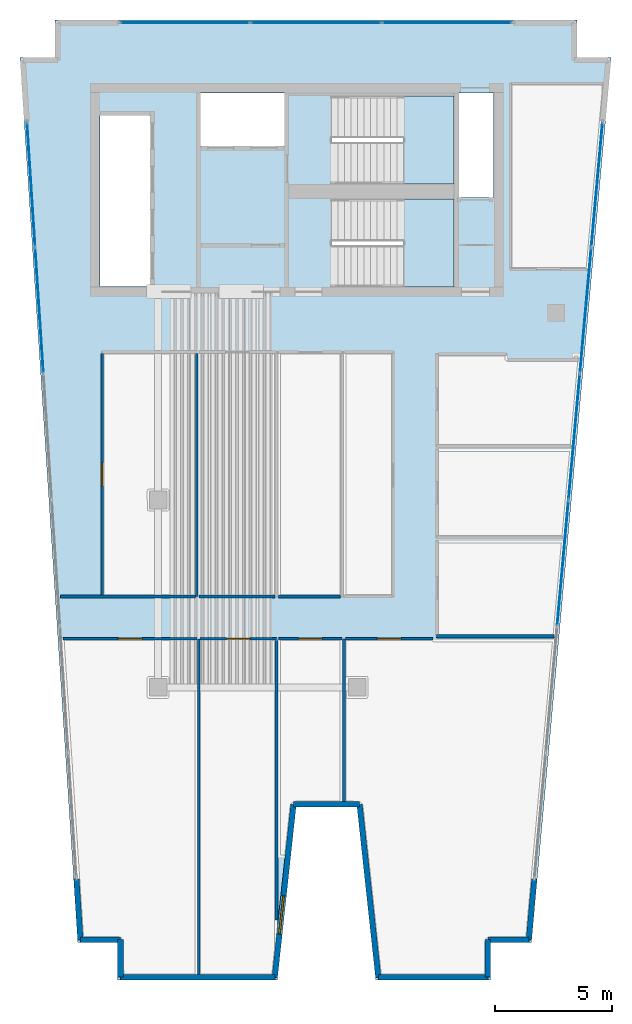
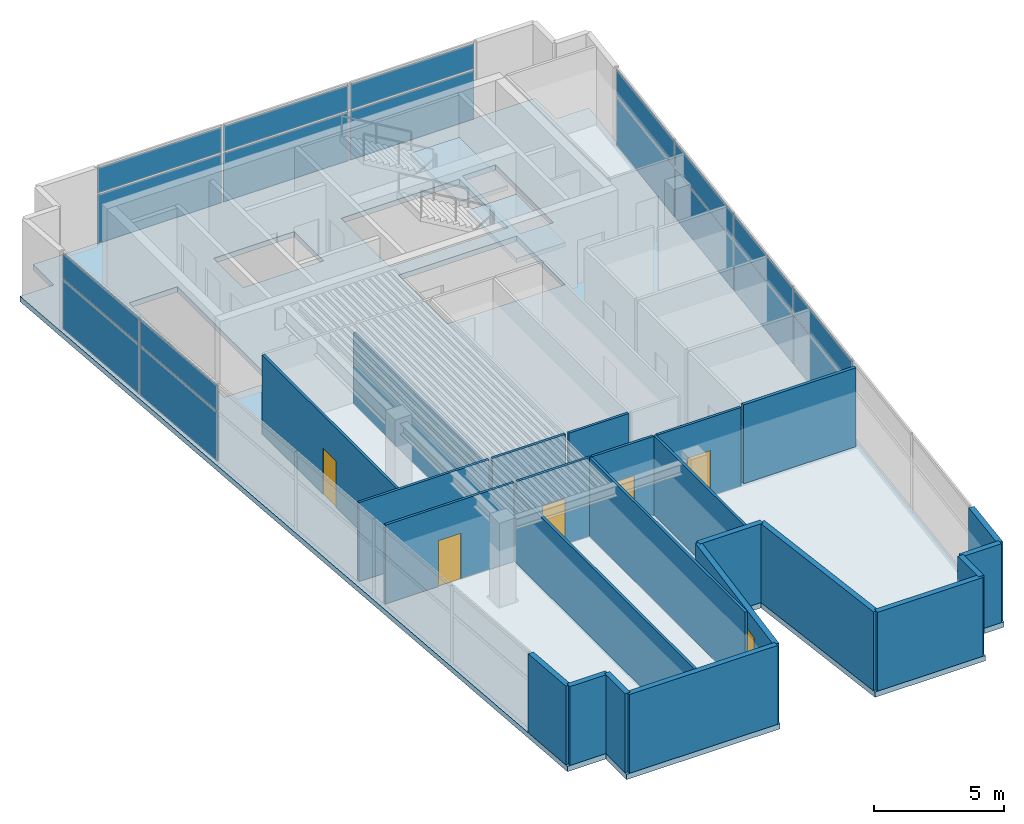
# One storey, part 3 of 7: 24 walls, 18 plates, 5 doors, 3 slabs, 1 window, 6 openings, 5 elements without a shape of their own.
"""IFC4 building model written with IfcOpenShell, lengths in metres."""

from ifc_helpers import new_model, si_unit, direction, frame, frame_2d, origin, origin_2d, place, context, subcontext, project, spatial, polyline, rectangle, outline, extrude, material, layer, layer_set, type_object, element, fill, aggregate, save


model = new_model("IFC4")

# Units and contexts
model_context = context("Model", 3, precision=1e-05, world=origin(), true_north=direction((0.0, 1.0)))
body_context = subcontext(model_context, "Body", "Model", "MODEL_VIEW")
ifc_project = project(units=[si_unit("LENGTHUNIT", "METRE"), si_unit("AREAUNIT", "SQUARE_METRE"), si_unit("VOLUMEUNIT", "CUBIC_METRE"), si_unit("PLANEANGLEUNIT", "RADIAN"), si_unit("MASSUNIT", "GRAM", prefix="KILO")], contexts=[model_context])

# Site, building, storey
site_placement = place(None, origin())
site = spatial("IfcSite", under=ifc_project, at=site_placement, CompositionType="ELEMENT")
building_placement = place(site_placement, origin())
building = spatial("IfcBuilding", under=site, at=building_placement, Name="Caeloran Harvest Quay", CompositionType="ELEMENT")
storey_placement = place(building_placement, frame((0.0, 0.0, 308.050048828125)))
storey = spatial("IfcBuildingStorey", under=building, at=storey_placement, Name="L74", CompositionType="ELEMENT", Elevation=308.050048828125)

# Curtain wall, plates
ifc_material_1 = material(Name="Aluminium 6063-T6 and Low-E Glazing", Category="aluminium")
ifc_layer_1 = layer(ifc_material_1, 0.239990234375, Name="Aluminium 6063-T6 and Low-E Glazing")
ifc_layer_set_1 = layer_set([ifc_layer_1], Name="Aluminium 6063-T6 and Low-E Glazing")
curtain_wall_type = type_object("IfcCurtainWallType", Name="CW-SYS-CW-7", PredefinedType="USERDEFINED", material=ifc_layer_set_1)
curtain_wall_1_placement = place(storey_placement, origin())
curtain_wall_1 = element("IfcCurtainWall", 1, at=curtain_wall_1_placement, inside=storey, type_object=curtain_wall_type, Name="L74 Unitised Curtain Wall CW-7 Run 3", ObjectType="CURTAIN_WALL", PredefinedType="USERDEFINED")
ifc_material_2 = material(Name="Low-E Double Glazed Vision Glass Unit", Category="glass")
ifc_layer_2 = layer(ifc_material_2, 0.035888671875, Name="Low-E Double Glazed Vision Glass Unit")
ifc_layer_set_2 = layer_set([ifc_layer_2], Name="Low-E Double Glazed Vision Glass Unit")
plate_type = type_object("IfcPlateType", Name="CW-VISION-PANEL", PredefinedType="CURTAIN_PANEL", material=ifc_layer_set_2)
plate_1_placement = place(storey_placement, frame((3.430419921875, 31.0927734375, 0.080078125), z_axis=(0.0, 0.0, 1.0), x_axis=(-0.065166552901, 0.997874401106, 0.0)))
plate_1 = element("IfcPlate", 2, at=plate_1_placement, type_object=plate_type, Name="CW-7 panel 5.1", PredefinedType="CURTAIN_PANEL", context=body_context, shape_type="SweptSolid", body=[
    extrude(rectangle(XDim=5.32666015625, YDim=0.035888671875, at=origin_2d()), origin(), (0.0, 0.0, 1.0), 2.280029296875),
])
plate_2_placement = place(storey_placement, frame((3.430419921875, 31.0927734375, 2.43994140625), z_axis=(0.0, 0.0, 1.0), x_axis=(-0.065166552901, 0.997874401106, 0.0)))
plate_2 = element("IfcPlate", 3, at=plate_2_placement, type_object=plate_type, Name="CW-7 panel 5.2", PredefinedType="CURTAIN_PANEL", context=body_context, shape_type="SweptSolid", body=[
    extrude(rectangle(XDim=5.32666015625, YDim=0.035888671875, at=origin_2d()), origin(), (0.0, 0.0, 1.0), 1.179931640625),
])
plate_3_placement = place(storey_placement, frame((3.07958984375, 36.468017578125, 0.080078125), z_axis=(0.0, 0.0, 1.0), x_axis=(-0.065166552901, 0.997874401106, 0.0)))
plate_3 = element("IfcPlate", 4, at=plate_3_placement, type_object=plate_type, Name="CW-7 panel 6.1", PredefinedType="CURTAIN_PANEL", context=body_context, shape_type="SweptSolid", body=[
    extrude(rectangle(XDim=5.28662109375, YDim=0.035888671875, at=origin_2d()), origin(), (0.0, 0.0, 1.0), 2.280029296875),
])
plate_4_placement = place(storey_placement, frame((3.07958984375, 36.468017578125, 2.43994140625), z_axis=(0.0, 0.0, 1.0), x_axis=(-0.065166552901, 0.997874401106, 0.0)))
plate_4 = element("IfcPlate", 5, at=plate_4_placement, type_object=plate_type, Name="CW-7 panel 6.2", PredefinedType="CURTAIN_PANEL", context=body_context, shape_type="SweptSolid", body=[
    extrude(rectangle(XDim=5.28662109375, YDim=0.035888671875, at=origin_2d()), origin(), (0.0, 0.0, 1.0), 1.179931640625),
])
aggregate(curtain_wall_1, [plate_1, plate_2, plate_3, plate_4])

curtain_wall_2_placement = place(storey_placement, origin())
curtain_wall_2 = element("IfcCurtainWall", 6, at=curtain_wall_2_placement, inside=storey, type_object=curtain_wall_type, Name="L74 Unitised Curtain Wall CW-7 Run 6", ObjectType="CURTAIN_WALL", PredefinedType="USERDEFINED")
plate_5_placement = place(storey_placement, frame((9.64990234375, 43.3798828125, 0.080078125), z_axis=(0.0, 0.0, 1.0), x_axis=(1.0, 0.0, 0.0)))
plate_5 = element("IfcPlate", 7, at=plate_5_placement, type_object=plate_type, Name="CW-7 panel 1.1", PredefinedType="CURTAIN_PANEL", context=body_context, shape_type="SweptSolid", body=[
    extrude(rectangle(XDim=5.5, YDim=0.035888671875, at=origin_2d()), origin(), (0.0, 0.0, 1.0), 2.280029296875),
])
plate_6_placement = place(storey_placement, frame((9.64990234375, 43.3798828125, 2.43994140625), z_axis=(0.0, 0.0, 1.0), x_axis=(1.0, 0.0, 0.0)))
plate_6 = element("IfcPlate", 8, at=plate_6_placement, type_object=plate_type, Name="CW-7 panel 1.2", PredefinedType="CURTAIN_PANEL", context=body_context, shape_type="SweptSolid", body=[
    extrude(rectangle(XDim=5.5, YDim=0.035888671875, at=origin_2d()), origin(), (0.0, 0.0, 1.0), 1.179931640625),
])
plate_7_placement = place(storey_placement, frame((15.25, 43.3798828125, 0.080078125), z_axis=(0.0, 0.0, 1.0), x_axis=(1.0, 0.0, 0.0)))
plate_7 = element("IfcPlate", 9, at=plate_7_placement, type_object=plate_type, Name="CW-7 panel 2.1", PredefinedType="CURTAIN_PANEL", context=body_context, shape_type="SweptSolid", body=[
    extrude(rectangle(XDim=5.5400390625, YDim=0.035888671875, at=origin_2d()), origin(), (0.0, 0.0, 1.0), 2.280029296875),
])
plate_8_placement = place(storey_placement, frame((15.25, 43.3798828125, 2.43994140625), z_axis=(0.0, 0.0, 1.0), x_axis=(1.0, 0.0, 0.0)))
plate_8 = element("IfcPlate", 10, at=plate_8_placement, type_object=plate_type, Name="CW-7 panel 2.2", PredefinedType="CURTAIN_PANEL", context=body_context, shape_type="SweptSolid", body=[
    extrude(rectangle(XDim=5.5400390625, YDim=0.035888671875, at=origin_2d()), origin(), (0.0, 0.0, 1.0), 1.179931640625),
])
plate_9_placement = place(storey_placement, frame((20.85009765625, 43.3798828125, 0.080078125), z_axis=(0.0, 0.0, 1.0), x_axis=(1.0, 0.0, 0.0)))
plate_9 = element("IfcPlate", 11, at=plate_9_placement, type_object=plate_type, Name="CW-7 panel 3.1", PredefinedType="CURTAIN_PANEL", context=body_context, shape_type="SweptSolid", body=[
    extrude(rectangle(XDim=5.5, YDim=0.035888671875, at=origin_2d()), origin(), (0.0, 0.0, 1.0), 2.280029296875),
])
plate_10_placement = place(storey_placement, frame((20.85009765625, 43.3798828125, 2.43994140625), z_axis=(0.0, 0.0, 1.0), x_axis=(1.0, 0.0, 0.0)))
plate_10 = element("IfcPlate", 12, at=plate_10_placement, type_object=plate_type, Name="CW-7 panel 3.2", PredefinedType="CURTAIN_PANEL", context=body_context, shape_type="SweptSolid", body=[
    extrude(rectangle(XDim=5.5, YDim=0.035888671875, at=origin_2d()), origin(), (0.0, 0.0, 1.0), 1.179931640625),
])
aggregate(curtain_wall_2, [plate_5, plate_6, plate_7, plate_8, plate_9, plate_10])

curtain_wall_3_placement = place(storey_placement, origin())
curtain_wall_3 = element("IfcCurtainWall", 13, at=curtain_wall_3_placement, inside=storey, type_object=curtain_wall_type, Name="L74 Unitised Curtain Wall CW-7 Run 9", ObjectType="CURTAIN_WALL", PredefinedType="USERDEFINED")
plate_11_placement = place(storey_placement, frame((27.245849609375, 36.47216796875, 0.080078125), z_axis=(0.0, 0.0, 1.0), x_axis=(-0.089821065146, -0.995957918918, 0.0)))
plate_11 = element("IfcPlate", 14, at=plate_11_placement, type_object=plate_type, Name="CW-7 panel 1.1", PredefinedType="CURTAIN_PANEL", context=body_context, shape_type="SweptSolid", body=[
    extrude(rectangle(XDim=5.298828125, YDim=0.035888671875, at=origin_2d()), origin(), (0.0, 0.0, 1.0), 2.280029296875),
])
plate_12_placement = place(storey_placement, frame((27.245849609375, 36.47216796875, 2.43994140625), z_axis=(0.0, 0.0, 1.0), x_axis=(-0.089821065146, -0.995957918918, 0.0)))
plate_12 = element("IfcPlate", 15, at=plate_12_placement, type_object=plate_type, Name="CW-7 panel 1.2", PredefinedType="CURTAIN_PANEL", context=body_context, shape_type="SweptSolid", body=[
    extrude(rectangle(XDim=5.298828125, YDim=0.035888671875, at=origin_2d()), origin(), (0.0, 0.0, 1.0), 1.179931640625),
])
plate_13_placement = place(storey_placement, frame((26.7607421875, 31.09521484375, 0.080078125), z_axis=(0.0, 0.0, 1.0), x_axis=(-0.089821065146, -0.995957918918, 0.0)))
plate_13 = element("IfcPlate", 16, at=plate_13_placement, type_object=plate_type, Name="CW-7 panel 2.1", PredefinedType="CURTAIN_PANEL", context=body_context, shape_type="SweptSolid", body=[
    extrude(rectangle(XDim=5.338623046875, YDim=0.035888671875, at=origin_2d()), origin(), (0.0, 0.0, 1.0), 2.280029296875),
])
plate_14_placement = place(storey_placement, frame((26.7607421875, 31.09521484375, 2.43994140625), z_axis=(0.0, 0.0, 1.0), x_axis=(-0.089821065146, -0.995957918918, 0.0)))
plate_14 = element("IfcPlate", 17, at=plate_14_placement, type_object=plate_type, Name="CW-7 panel 2.2", PredefinedType="CURTAIN_PANEL", context=body_context, shape_type="SweptSolid", body=[
    extrude(rectangle(XDim=5.338623046875, YDim=0.035888671875, at=origin_2d()), origin(), (0.0, 0.0, 1.0), 1.179931640625),
])
plate_15_placement = place(storey_placement, frame((26.274169921875, 25.698486328125, 0.080078125), z_axis=(0.0, 0.0, 1.0), x_axis=(-0.089821065146, -0.995957918918, 0.0)))
plate_15 = element("IfcPlate", 18, at=plate_15_placement, type_object=plate_type, Name="CW-7 panel 3.1", PredefinedType="CURTAIN_PANEL", context=body_context, shape_type="SweptSolid", body=[
    extrude(rectangle(XDim=5.338623046875, YDim=0.035888671875, at=origin_2d()), origin(), (0.0, 0.0, 1.0), 2.280029296875),
])
plate_16_placement = place(storey_placement, frame((26.274169921875, 25.698486328125, 2.43994140625), z_axis=(0.0, 0.0, 1.0), x_axis=(-0.089821065146, -0.995957918918, 0.0)))
plate_16 = element("IfcPlate", 19, at=plate_16_placement, type_object=plate_type, Name="CW-7 panel 3.2", PredefinedType="CURTAIN_PANEL", context=body_context, shape_type="SweptSolid", body=[
    extrude(rectangle(XDim=5.338623046875, YDim=0.035888671875, at=origin_2d()), origin(), (0.0, 0.0, 1.0), 1.179931640625),
])
plate_17_placement = place(storey_placement, frame((25.787353515625, 20.301513671875, 0.080078125), z_axis=(0.0, 0.0, 1.0), x_axis=(-0.089821065146, -0.995957918918, 0.0)))
plate_17 = element("IfcPlate", 20, at=plate_17_placement, type_object=plate_type, Name="CW-7 panel 4.1", PredefinedType="CURTAIN_PANEL", context=body_context, shape_type="SweptSolid", body=[
    extrude(rectangle(XDim=5.338623046875, YDim=0.035888671875, at=origin_2d()), origin(), (0.0, 0.0, 1.0), 2.280029296875),
])
plate_18_placement = place(storey_placement, frame((25.787353515625, 20.301513671875, 2.43994140625), z_axis=(0.0, 0.0, 1.0), x_axis=(-0.089821065146, -0.995957918918, 0.0)))
plate_18 = element("IfcPlate", 21, at=plate_18_placement, type_object=plate_type, Name="CW-7 panel 4.2", PredefinedType="CURTAIN_PANEL", context=body_context, shape_type="SweptSolid", body=[
    extrude(rectangle(XDim=5.338623046875, YDim=0.035888671875, at=origin_2d()), origin(), (0.0, 0.0, 1.0), 1.179931640625),
])
aggregate(curtain_wall_3, [plate_11, plate_12, plate_13, plate_14, plate_15, plate_16, plate_17, plate_18])

# Slab
ifc_material_3 = material(Name="Concrete C50/60", Category="concrete")
ifc_layer_3 = layer(ifc_material_3, 0.25, Name="Concrete C50/60")
ifc_layer_set_3 = layer_set([ifc_layer_3], Name="Concrete C50/60")
slab_type_1 = type_object("IfcSlabType", Name="SLAB-FS-250", PredefinedType="FLOOR", material=ifc_layer_set_3)
slab_1_placement = place(storey_placement, frame((0.0, 0.0, -0.25)))
element("IfcSlab", 22, at=slab_1_placement, inside=storey, type_object=slab_type_1, Name="L74 Structural Floor Slab", PredefinedType="FLOOR", context=body_context, shape_type="SweptSolid", body=[
    extrude(outline(polyline([(6.777587890625, 2.5), (13.592529296875, 2.5), (14.392578125, 9.8798828125), (17.0, 9.8798828125), (17.800048828125, 2.5), (22.702392578125, 2.5), (22.702392578125, 4.10009765625), (24.44677734375, 4.10009765625), (27.855712890625, 41.89990234375), (26.39990234375, 41.89990234375), (26.39990234375, 43.5), (4.10009765625, 43.5), (4.10009765625, 41.89990234375), (2.6044921875, 41.89990234375), (5.072998046875, 4.10009765625), (6.777587890625, 4.10009765625), (6.777587890625, 2.5)]), holes=[polyline([(21.14990234375, 32.10009765625), (15.89990234375, 32.10009765625), (15.89990234375, 35.85009765625), (21.14990234375, 35.85009765625), (21.14990234375, 32.10009765625)]), polyline([(8.159912109375, 39.419921875), (8.159912109375, 32.1201171875), (6.02001953125, 32.1201171875), (6.02001953125, 39.419921875), (8.159912109375, 39.419921875)]), polyline([(22.830078125, 40.3798828125), (22.830078125, 35.919921875), (21.35009765625, 35.919921875), (21.35009765625, 40.3798828125), (22.830078125, 40.3798828125)]), polyline([(15.89990234375, 36.5), (15.89990234375, 40.25), (21.14990234375, 40.25), (21.14990234375, 36.5), (15.89990234375, 36.5)]), polyline([(13.89990234375, 38.1201171875), (10.320068359375, 38.1201171875), (10.320068359375, 40.3798828125), (13.89990234375, 40.3798828125), (13.89990234375, 38.1201171875)])]), origin(), (0.0, 0.0, 1.0), 0.25),
])

# Stair, slab
stair_type = type_object("IfcStairType", Name="STAIR-STC-180", PredefinedType="HALF_TURN_STAIR", material=ifc_material_3)
stair_1_placement = place(storey_placement, origin())
stair_1 = element("IfcStair", 23, at=stair_1_placement, inside=storey, type_object=stair_type, Name="L74 Core Pressurized Exit Stair ST-C1", PredefinedType="HALF_TURN_STAIR")
ifc_layer_4 = layer(ifc_material_3, 0.219970703125, Name="Concrete C50/60")
ifc_layer_set_4 = layer_set([ifc_layer_4], Name="Concrete C50/60")
slab_type_2 = type_object("IfcSlabType", Name="STAIR-LANDING-220", PredefinedType="LANDING", material=ifc_layer_set_4)
slab_2_placement = place(storey_placement, frame((0.0, 0.0, 1.77490234375)))
slab_2 = element("IfcSlab", 24, at=slab_2_placement, type_object=slab_type_2, Name="ST-C1 landing 1", PredefinedType="LANDING", context=body_context, shape_type="SweptSolid", body=[
    extrude(outline(polyline([(18.97998046875, 36.5), (21.14990234375, 36.5), (21.14990234375, 40.25), (18.97998046875, 40.25), (18.97998046875, 36.5)])), origin(), (0.0, 0.0, 1.0), 0.199951171875),
])
aggregate(stair_1, [slab_2])

stair_2_placement = place(storey_placement, origin())
stair_2 = element("IfcStair", 25, at=stair_2_placement, inside=storey, type_object=stair_type, Name="L74 Core Pressurized Exit Stair ST-C2", PredefinedType="HALF_TURN_STAIR")
slab_3_placement = place(storey_placement, frame((0.0, 0.0, 1.77490234375)))
slab_3 = element("IfcSlab", 26, at=slab_3_placement, type_object=slab_type_2, Name="ST-C2 landing 1", PredefinedType="LANDING", context=body_context, shape_type="SweptSolid", body=[
    extrude(outline(polyline([(18.97998046875, 32.10009765625), (21.14990234375, 32.10009765625), (21.14990234375, 35.85009765625), (18.97998046875, 35.85009765625), (18.97998046875, 32.10009765625)])), origin(), (0.0, 0.0, 1.0), 0.199951171875),
])
aggregate(stair_2, [slab_3])

# Walls
ifc_material_4 = material(Name="Precast concrete C50/60", Category="concrete")
ifc_layer_5 = layer(ifc_material_4, 0.239990234375, Name="Precast concrete C50/60")
ifc_layer_set_5 = layer_set([ifc_layer_5], Name="Precast concrete C50/60")
wall_type_1 = type_object("IfcWallType", Name="ENV-WALL-EW-240", PredefinedType="STANDARD", material=ifc_layer_set_5)
wall_1_placement = place(storey_placement, frame((6.8974609375, 2.6201171875, 0.0), z_axis=(0.0, 0.0, 1.0), x_axis=(0.0, 1.0, 0.0)))
element("IfcWall", 27, at=wall_1_placement, inside=storey, type_object=wall_type_1, Name="L74 Exterior Precast Concrete Facade Wall 1", PredefinedType="STANDARD", context=body_context, shape_type="SweptSolid", body=[
    extrude(rectangle(XDim=1.599853515625, YDim=0.239990234375, at=frame_2d((0.7998046875, 0.0))), origin(), (0.0, 0.0, 1.0), 3.699951171875),
])
wall_2_placement = place(storey_placement, frame((6.8974609375, 4.219970703125, 0.0), z_axis=(0.0, 0.0, 1.0), x_axis=(-1.0, 0.0, 0.0)))
element("IfcWall", 28, at=wall_2_placement, inside=storey, type_object=wall_type_1, Name="L74 Exterior Precast Concrete Facade Wall 2", PredefinedType="STANDARD", context=body_context, shape_type="SweptSolid", body=[
    extrude(rectangle(XDim=1.712158203125, YDim=0.239990234375, at=frame_2d((0.85595703125, 0.0))), origin(), (0.0, 0.0, 1.0), 3.699951171875),
])
for number, where, z_axis, x_axis, name in (
    (29, (5.185302734375, 4.219970703125, 0.0), (0.0, 0.0, 1.0), (-0.065073039336, 0.997880503643, 0.0), "L74 Exterior Facade Corner Pier Wall 3A"),
    (30, (24.570556640625, 6.8095703125, 0.0), (0.0, 0.0, 1.0), (-0.089765303723, -0.995962946222, 0.0), "L74 Exterior Facade Corner Pier Wall 9B"),
):
    element("IfcWall", number, at=place(storey_placement, frame(where, z_axis=z_axis, x_axis=x_axis)), inside=storey, type_object=wall_type_1, Name=name, PredefinedType="STANDARD", context=body_context, shape_type="SweptSolid", body=[
        extrude(rectangle(XDim=2.60009765625, YDim=0.239990234375, at=frame_2d((1.300048828125, 0.0))), origin(), (0.0, 0.0, 1.0), 3.699951171875),
    ])
wall_3_placement = place(storey_placement, frame((24.337158203125, 4.219970703125, 0.0), z_axis=(0.0, 0.0, 1.0), x_axis=(-1.0, 0.0, 0.0)))
element("IfcWall", 31, at=wall_3_placement, inside=storey, type_object=wall_type_1, Name="L74 Exterior Precast Concrete Facade Wall 10", PredefinedType="STANDARD", context=body_context, shape_type="SweptSolid", body=[
    extrude(rectangle(XDim=1.754638671875, YDim=0.239990234375, at=frame_2d((0.87744140625, 0.0))), origin(), (0.0, 0.0, 1.0), 3.699951171875),
])
wall_4_placement = place(storey_placement, frame((22.58251953125, 4.219970703125, 0.0), z_axis=(0.0, 0.0, 1.0), x_axis=(0.0, -1.0, 0.0)))
element("IfcWall", 32, at=wall_4_placement, inside=storey, type_object=wall_type_1, Name="L74 Exterior Precast Concrete Facade Wall 11", PredefinedType="STANDARD", context=body_context, shape_type="SweptSolid", body=[
    extrude(rectangle(XDim=1.599853515625, YDim=0.239990234375, at=frame_2d((0.7998046875, 0.0))), origin(), (0.0, 0.0, 1.0), 3.699951171875),
])
wall_5_placement = place(storey_placement, frame((22.58251953125, 2.6201171875, 0.0), z_axis=(0.0, 0.0, 1.0), x_axis=(-1.0, 0.0, 0.0)))
element("IfcWall", 33, at=wall_5_placement, inside=storey, type_object=wall_type_1, Name="L74 Exterior Precast Concrete Facade Wall 12", PredefinedType="STANDARD", context=body_context, shape_type="SweptSolid", body=[
    extrude(rectangle(XDim=4.6748046875, YDim=0.239990234375, at=frame_2d((2.33740234375, 0.0))), origin(), (0.0, 0.0, 1.0), 3.699951171875),
])
wall_6_placement = place(storey_placement, frame((17.90771484375, 2.6201171875, 0.0), z_axis=(0.0, 0.0, 1.0), x_axis=(-0.107777936076, 0.994174992894, 0.0)))
element("IfcWall", 34, at=wall_6_placement, inside=storey, type_object=wall_type_1, Name="L74 Exterior Precast Concrete Facade Wall 13", PredefinedType="STANDARD", context=body_context, shape_type="SweptSolid", body=[
    extrude(rectangle(XDim=7.423095703125, YDim=0.239990234375, at=frame_2d((3.71142578125, 0.0))), origin(), (0.0, 0.0, 1.0), 3.699951171875),
])
wall_7_placement = place(storey_placement, frame((17.107666015625, 10.0, 0.0), z_axis=(0.0, 0.0, 1.0), x_axis=(-1.0, 0.0, 0.0)))
element("IfcWall", 35, at=wall_7_placement, inside=storey, type_object=wall_type_1, Name="L74 Exterior Precast Concrete Facade Wall 14", PredefinedType="STANDARD", context=body_context, shape_type="SweptSolid", body=[
    extrude(rectangle(XDim=2.82275390625, YDim=0.239990234375, at=frame_2d((1.411376953125, 0.0))), origin(), (0.0, 0.0, 1.0), 3.699951171875),
])

# Wall, opening, window
wall_8_placement = place(storey_placement, frame((14.284912109375, 10.0, 0.0), z_axis=(0.0, 0.0, 1.0), x_axis=(-0.107777936076, -0.994174992894, 0.0)))
wall_8 = element("IfcWall", 36, at=wall_8_placement, inside=storey, type_object=wall_type_1, Name="L74 Exterior Precast Concrete Facade Wall 15", PredefinedType="STANDARD", context=body_context, shape_type="SweptSolid", body=[
    extrude(rectangle(XDim=7.423095703125, YDim=0.239990234375, at=frame_2d((3.71142578125, 0.0))), origin(), (0.0, 0.0, 1.0), 3.699951171875),
])
opening_1_placement = place(wall_8_placement, frame((3.926025390625, 0.0, 0.89990234375)))
opening_1 = element("IfcOpeningElement", 37, at=opening_1_placement, cuts=wall_8, Name="Opening W-08", PredefinedType="OPENING", context=body_context, shape_type="SweptSolid", body=[
    extrude(rectangle(XDim=1.64990234375, YDim=1.949951171875, at=frame_2d((0.824951171875, 0.97509765625))), frame((0.0, 0.1298828125, 0.0), z_axis=(0.0, -1.0, 0.0), x_axis=(1.0, 0.0, 0.0)), (0.0, 0.0, 1.0), 0.260009765625),
])
ifc_material_5 = material(Name="Aluminium-Framed Low-E Laminated Glass", Category="aluminium")
window_type = type_object("IfcWindowType", Name="WIN-W-08", PartitioningType="SINGLE_PANEL", PredefinedType="WINDOW", material=ifc_material_5)
window_placement = place(opening_1_placement, origin())
window = element("IfcWindow", 38, at=window_placement, inside=storey, type_object=window_type, Name="L74 Facade Punched Window W-08", OverallHeight=1.949951171875, OverallWidth=1.64990234375, PartitioningType="SINGLE_PANEL", PredefinedType="WINDOW", context=body_context, shape_type="SweptSolid", body=[
    extrude(rectangle(XDim=1.64990234375, YDim=1.949951171875, at=frame_2d((0.824951171875, 0.97509765625))), frame((0.0, 0.030029296875, 0.0), z_axis=(0.0, -1.0, 0.0), x_axis=(1.0, 0.0, 0.0)), (0.0, 0.0, 1.0), 0.06005859375),
])
fill(opening_1, window)

# Walls
wall_9_placement = place(storey_placement, frame((13.48486328125, 2.6201171875, 0.0), z_axis=(0.0, 0.0, 1.0), x_axis=(-1.0, 0.0, 0.0)))
element("IfcWall", 39, at=wall_9_placement, inside=storey, type_object=wall_type_1, Name="L74 Exterior Precast Concrete Facade Wall 16", PredefinedType="STANDARD", context=body_context, shape_type="SweptSolid", body=[
    extrude(rectangle(XDim=6.58740234375, YDim=0.239990234375, at=frame_2d((3.293701171875, 0.0))), origin(), (0.0, 0.0, 1.0), 3.699951171875),
])
ifc_material_6 = material(Name="Single-Stud Acoustic Gypsum Office Partition", Category="gypsum")
ifc_layer_6 = layer(ifc_material_6, 0.112060546875, Name="Single-Stud Acoustic Gypsum Office Partition")
ifc_layer_set_6 = layer_set([ifc_layer_6], Name="Single-Stud Acoustic Gypsum Office Partition")
wall_type_2 = type_object("IfcWallType", Name="INT-WALL-PW-112", PredefinedType="PARTITIONING", material=ifc_layer_set_6)
wall_10_placement = place(storey_placement, frame((10.239990234375, 2.7451171875, 0.0), z_axis=(0.0, 0.0, 1.0), x_axis=(0.0, 1.0, 0.0)))
element("IfcWall", 40, at=wall_10_placement, inside=storey, type_object=wall_type_2, Name="West Harbour Tasting Kitchen Partition Wall", PredefinedType="PARTITIONING", context=body_context, shape_type="SweptSolid", body=[
    extrude(rectangle(XDim=14.324951171875, YDim=0.112060546875, at=frame_2d((7.16259765625, 0.0))), origin(), (0.0, 0.0, 1.0), 3.324951171875),
])

# Wall, opening, door
wall_11_placement = place(storey_placement, frame((10.301025390625, 17.070068359375, 0.0), z_axis=(0.0, 0.0, 1.0), x_axis=(1.0, 0.0, 0.0)))
wall_11 = element("IfcWall", 41, at=wall_11_placement, inside=storey, type_object=wall_type_2, Name="West Harbour Tasting Kitchen Partition Wall", PredefinedType="PARTITIONING", context=body_context, shape_type="SweptSolid", body=[
    extrude(rectangle(XDim=3.259033203125, YDim=0.112060546875, at=frame_2d((1.62939453125, 0.0))), origin(), (0.0, 0.0, 1.0), 3.699951171875),
])
opening_2_placement = place(wall_11_placement, frame((1.12939453125, 0.0, 0.0)))
opening_2 = element("IfcOpeningElement", 42, at=opening_2_placement, cuts=wall_11, Name="Opening ID-01", PredefinedType="OPENING", context=body_context, shape_type="SweptSolid", body=[
    extrude(rectangle(XDim=1.0, YDim=2.14990234375, at=frame_2d((0.5, 1.074951171875))), frame((0.0, 0.06591796875, 0.0), z_axis=(0.0, -1.0, 0.0), x_axis=(1.0, 0.0, 0.0)), (0.0, 0.0, 1.0), 0.132080078125),
])
ifc_material_7 = material(Name="FSC Solid-Core Ash Timber and Acoustic Seal", Category="wood")
door_type = type_object("IfcDoorType", Name="INTDOOR-ID-01", OperationType="NOTDEFINED", PredefinedType="DOOR", material=ifc_material_7)
door_1_placement = place(opening_2_placement, origin())
door_1 = element("IfcDoor", 43, at=door_1_placement, inside=storey, type_object=door_type, Name="West Harbour Tasting Kitchen Access Door", OperationType="SINGLE_SWING_RIGHT", OverallHeight=2.14990234375, OverallWidth=1.0, PredefinedType="DOOR", context=body_context, shape_type="SweptSolid", body=[
    extrude(rectangle(XDim=1.0, YDim=2.14990234375, at=frame_2d((0.5, 1.074951171875))), frame((0.0, 0.02490234375, 0.0), z_axis=(0.0, -1.0, 0.0), x_axis=(1.0, 0.0, 0.0)), (0.0, 0.0, 1.0), 0.050048828125),
])
fill(opening_2, door_1)

# Wall
wall_12_placement = place(storey_placement, frame((13.56005859375, 17.009033203125, 0.0), z_axis=(0.0, 0.0, 1.0), x_axis=(0.0, -1.0, 0.0)))
element("IfcWall", 44, at=wall_12_placement, inside=storey, type_object=wall_type_2, Name="West Harbour Tasting Kitchen Partition Wall", PredefinedType="PARTITIONING", context=body_context, shape_type="SweptSolid", body=[
    extrude(rectangle(XDim=11.950927734375, YDim=0.112060546875, at=frame_2d((5.9755859375, 0.0))), origin(), (0.0, 0.0, 1.0), 3.699951171875),
])

# Wall, opening, door
wall_13_placement = place(storey_placement, frame((4.451416015625, 17.070068359375, 0.0), z_axis=(0.0, 0.0, 1.0), x_axis=(1.0, 0.0, 0.0)))
wall_13 = element("IfcWall", 45, at=wall_13_placement, inside=storey, type_object=wall_type_2, Name="Executive Dining Kitchen Partition Wall", PredefinedType="PARTITIONING", context=body_context, shape_type="SweptSolid", body=[
    extrude(rectangle(XDim=5.70849609375, YDim=0.112060546875, at=frame_2d((2.854248046875, 0.0))), origin(), (0.0, 0.0, 1.0), 3.699951171875),
])
opening_3_placement = place(wall_13_placement, frame((2.354248046875, 0.0, 0.0)))
opening_3 = element("IfcOpeningElement", 46, at=opening_3_placement, cuts=wall_13, Name="Opening ID-01", PredefinedType="OPENING", context=body_context, shape_type="SweptSolid", body=[
    extrude(rectangle(XDim=1.0, YDim=2.14990234375, at=frame_2d((0.5, 1.074951171875))), frame((0.0, 0.06591796875, 0.0), z_axis=(0.0, -1.0, 0.0), x_axis=(1.0, 0.0, 0.0)), (0.0, 0.0, 1.0), 0.132080078125),
])
door_2_placement = place(opening_3_placement, origin())
door_2 = element("IfcDoor", 47, at=door_2_placement, inside=storey, type_object=door_type, Name="Executive Dining Kitchen Access Door", OperationType="SINGLE_SWING_LEFT", OverallHeight=2.14990234375, OverallWidth=1.0, PredefinedType="DOOR", context=body_context, shape_type="SweptSolid", body=[
    extrude(rectangle(XDim=1.0, YDim=2.14990234375, at=frame_2d((0.5, 1.074951171875))), frame((0.0, 0.02490234375, 0.0), z_axis=(0.0, -1.0, 0.0), x_axis=(1.0, 0.0, 0.0)), (0.0, 0.0, 1.0), 0.050048828125),
])
fill(opening_3, door_2)

# Wall
wall_14_placement = place(storey_placement, frame((16.43994140625, 10.125, 0.0), z_axis=(0.0, 0.0, 1.0), x_axis=(0.0, 1.0, 0.0)))
element("IfcWall", 48, at=wall_14_placement, inside=storey, type_object=wall_type_2, Name="Sommelier Prep Kitchen Partition Wall", PredefinedType="PARTITIONING", context=body_context, shape_type="SweptSolid", body=[
    extrude(rectangle(XDim=6.945068359375, YDim=0.112060546875, at=frame_2d((3.47265625, 0.0))), origin(), (0.0, 0.0, 1.0), 3.699951171875),
])

# Wall, opening, door
wall_15_placement = place(storey_placement, frame((16.5009765625, 17.070068359375, 0.0), z_axis=(0.0, 0.0, 1.0), x_axis=(1.0, 0.0, 0.0)))
wall_15 = element("IfcWall", 49, at=wall_15_placement, inside=storey, type_object=wall_type_2, Name="Sommelier Prep Kitchen Partition Wall", PredefinedType="PARTITIONING", context=body_context, shape_type="SweptSolid", body=[
    extrude(rectangle(XDim=3.735107421875, YDim=0.112060546875, at=frame_2d((1.86767578125, 0.0))), origin(), (0.0, 0.0, 1.0), 3.699951171875),
])
opening_4_placement = place(wall_15_placement, frame((1.367431640625, 0.0, 0.0)))
opening_4 = element("IfcOpeningElement", 50, at=opening_4_placement, cuts=wall_15, Name="Opening ID-01", PredefinedType="OPENING", context=body_context, shape_type="SweptSolid", body=[
    extrude(rectangle(XDim=1.0, YDim=2.14990234375, at=frame_2d((0.5, 1.074951171875))), frame((0.0, 0.06591796875, 0.0), z_axis=(0.0, -1.0, 0.0), x_axis=(1.0, 0.0, 0.0)), (0.0, 0.0, 1.0), 0.132080078125),
])
door_3_placement = place(opening_4_placement, origin())
door_3 = element("IfcDoor", 51, at=door_3_placement, inside=storey, type_object=door_type, Name="Sommelier Prep Kitchen Access Door", OperationType="SINGLE_SWING_RIGHT", OverallHeight=2.14990234375, OverallWidth=1.0, PredefinedType="DOOR", context=body_context, shape_type="SweptSolid", body=[
    extrude(rectangle(XDim=1.0, YDim=2.14990234375, at=frame_2d((0.5, 1.074951171875))), frame((0.0, 0.02490234375, 0.0), z_axis=(0.0, -1.0, 0.0), x_axis=(1.0, 0.0, 0.0)), (0.0, 0.0, 1.0), 0.050048828125),
])
fill(opening_4, door_3)

wall_16_placement = place(storey_placement, frame((13.639892578125, 17.070068359375, 0.0), z_axis=(0.0, 0.0, 1.0), x_axis=(1.0, 0.0, 0.0)))
wall_16 = element("IfcWall", 52, at=wall_16_placement, inside=storey, type_object=wall_type_2, Name="Crown Culinary Meeting Room Partition Wall", PredefinedType="PARTITIONING", context=body_context, shape_type="SweptSolid", body=[
    extrude(rectangle(XDim=2.72021484375, YDim=0.112060546875, at=frame_2d((1.360107421875, 0.0))), origin(), (0.0, 0.0, 1.0), 3.699951171875),
])
opening_5_placement = place(wall_16_placement, frame((0.860107421875, 0.0, 0.0)))
opening_5 = element("IfcOpeningElement", 53, at=opening_5_placement, cuts=wall_16, Name="Opening ID-01", PredefinedType="OPENING", context=body_context, shape_type="SweptSolid", body=[
    extrude(rectangle(XDim=1.0, YDim=2.14990234375, at=frame_2d((0.5, 1.074951171875))), frame((0.0, 0.06591796875, 0.0), z_axis=(0.0, -1.0, 0.0), x_axis=(1.0, 0.0, 0.0)), (0.0, 0.0, 1.0), 0.132080078125),
])
door_4_placement = place(opening_5_placement, origin())
door_4 = element("IfcDoor", 54, at=door_4_placement, inside=storey, type_object=door_type, Name="Crown Culinary Meeting Room Access Door", OperationType="SINGLE_SWING_LEFT", OverallHeight=2.14990234375, OverallWidth=1.0, PredefinedType="DOOR", context=body_context, shape_type="SweptSolid", body=[
    extrude(rectangle(XDim=1.0, YDim=2.14990234375, at=frame_2d((0.5, 1.074951171875))), frame((0.0, 0.02490234375, 0.0), z_axis=(0.0, -1.0, 0.0), x_axis=(1.0, 0.0, 0.0)), (0.0, 0.0, 1.0), 0.050048828125),
])
fill(opening_5, door_4)

# Walls
wall_17_placement = place(storey_placement, frame((10.159912109375, 29.259033203125, 0.0), z_axis=(0.0, 0.0, 1.0), x_axis=(0.0, -1.0, 0.0)))
element("IfcWall", 55, at=wall_17_placement, inside=storey, type_object=wall_type_2, Name="Sky-Atrium Observation Lounge Partition Wall", PredefinedType="PARTITIONING", context=body_context, shape_type="SweptSolid", body=[
    extrude(rectangle(XDim=10.379150390625, YDim=0.112060546875, at=frame_2d((5.189453125, 0.0))), origin(), (0.0, 0.0, 1.0), 3.324951171875),
])
wall_18_placement = place(storey_placement, frame((10.09912109375, 18.8798828125, 0.0), z_axis=(0.0, 0.0, 1.0), x_axis=(-1.0, 0.0, 0.0)))
element("IfcWall", 56, at=wall_18_placement, inside=storey, type_object=wall_type_2, Name="Sky-Atrium Observation Lounge Partition Wall", PredefinedType="PARTITIONING", context=body_context, shape_type="SweptSolid", body=[
    extrude(rectangle(XDim=5.765869140625, YDim=0.112060546875, at=frame_2d((2.8828125, 0.0))), origin(), (0.0, 0.0, 1.0), 3.699951171875),
])

# Wall, opening, door
wall_19_placement = place(storey_placement, frame((6.110107421875, 18.94091796875, 0.0), z_axis=(0.0, 0.0, 1.0), x_axis=(0.0, 1.0, 0.0)))
wall_19 = element("IfcWall", 57, at=wall_19_placement, inside=storey, type_object=wall_type_2, Name="Sky-Atrium Observation Lounge Partition Wall", PredefinedType="PARTITIONING", context=body_context, shape_type="SweptSolid", body=[
    extrude(rectangle(XDim=10.318115234375, YDim=0.112060546875, at=frame_2d((5.1591796875, 0.0))), origin(), (0.0, 0.0, 1.0), 3.699951171875),
])
opening_6_placement = place(wall_19_placement, frame((4.658935546875, 0.0, 0.0)))
opening_6 = element("IfcOpeningElement", 58, at=opening_6_placement, cuts=wall_19, Name="Opening ID-01", PredefinedType="OPENING", context=body_context, shape_type="SweptSolid", body=[
    extrude(rectangle(XDim=1.0, YDim=2.14990234375, at=frame_2d((0.5, 1.074951171875))), frame((0.0, 0.06591796875, 0.0), z_axis=(0.0, -1.0, 0.0), x_axis=(1.0, 0.0, 0.0)), (0.0, 0.0, 1.0), 0.132080078125),
])
door_5_placement = place(opening_6_placement, origin())
door_5 = element("IfcDoor", 59, at=door_5_placement, inside=storey, type_object=door_type, Name="Sky-Atrium Observation Lounge Access Door", OperationType="SINGLE_SWING_RIGHT", OverallHeight=2.14990234375, OverallWidth=1.0, PredefinedType="DOOR", context=body_context, shape_type="SweptSolid", body=[
    extrude(rectangle(XDim=1.0, YDim=2.14990234375, at=frame_2d((0.5, 1.074951171875))), frame((0.0, 0.02490234375, 0.0), z_axis=(0.0, -1.0, 0.0), x_axis=(1.0, 0.0, 0.0)), (0.0, 0.0, 1.0), 0.050048828125),
])
fill(opening_6, door_5)

# Walls
wall_20_placement = place(storey_placement, frame((13.4990234375, 18.8798828125, 0.0), z_axis=(0.0, 0.0, 1.0), x_axis=(-1.0, 0.0, 0.0)))
element("IfcWall", 60, at=wall_20_placement, inside=storey, type_object=wall_type_2, Name="Botanical Tea Kitchen Partition Wall", PredefinedType="PARTITIONING", context=body_context, shape_type="SweptSolid", body=[
    extrude(rectangle(XDim=3.259033203125, YDim=0.112060546875, at=frame_2d((1.62939453125, 0.0))), origin(), (0.0, 0.0, 1.0), 3.699951171875),
])
wall_21_placement = place(storey_placement, frame((16.299072265625, 18.8798828125, 0.0), z_axis=(0.0, 0.0, 1.0), x_axis=(-1.0, 0.0, 0.0)))
element("IfcWall", 61, at=wall_21_placement, inside=storey, type_object=wall_type_2, Name="West Harbour Tasting Kitchen 7 Partition Wall", PredefinedType="PARTITIONING", context=body_context, shape_type="SweptSolid", body=[
    extrude(rectangle(XDim=2.6591796875, YDim=0.112060546875, at=frame_2d((1.32958984375, 0.0))), origin(), (0.0, 0.0, 1.0), 3.699951171875),
])
ifc_material_8 = material(Name="Moisture-Resistant Cement-Board Sanitary Partition", Category="gypsum")
ifc_layer_7 = layer(ifc_material_8, 0.139892578125, Name="Moisture-Resistant Cement-Board Sanitary Partition")
ifc_layer_set_7 = layer_set([ifc_layer_7], Name="Moisture-Resistant Cement-Board Sanitary Partition")
wall_type_3 = type_object("IfcWallType", Name="INT-WALL-PW-140", PredefinedType="PARTITIONING", material=ifc_layer_set_7)
wall_22_placement = place(storey_placement, frame((25.400390625, 17.179931640625, 0.0), z_axis=(0.0, 0.0, 1.0), x_axis=(-1.0, 0.0, 0.0)))
element("IfcWall", 62, at=wall_22_placement, inside=storey, type_object=wall_type_3, Name="L74 Accessible Unisex Washroom WC Partition Wall", PredefinedType="PARTITIONING", context=body_context, shape_type="SweptSolid", body=[
    extrude(rectangle(XDim=5.00048828125, YDim=0.139892578125, at=frame_2d((2.500244140625, 0.0))), origin(), (0.0, 0.0, 1.0), 3.699951171875),
])

save(model, "model.ifc")
